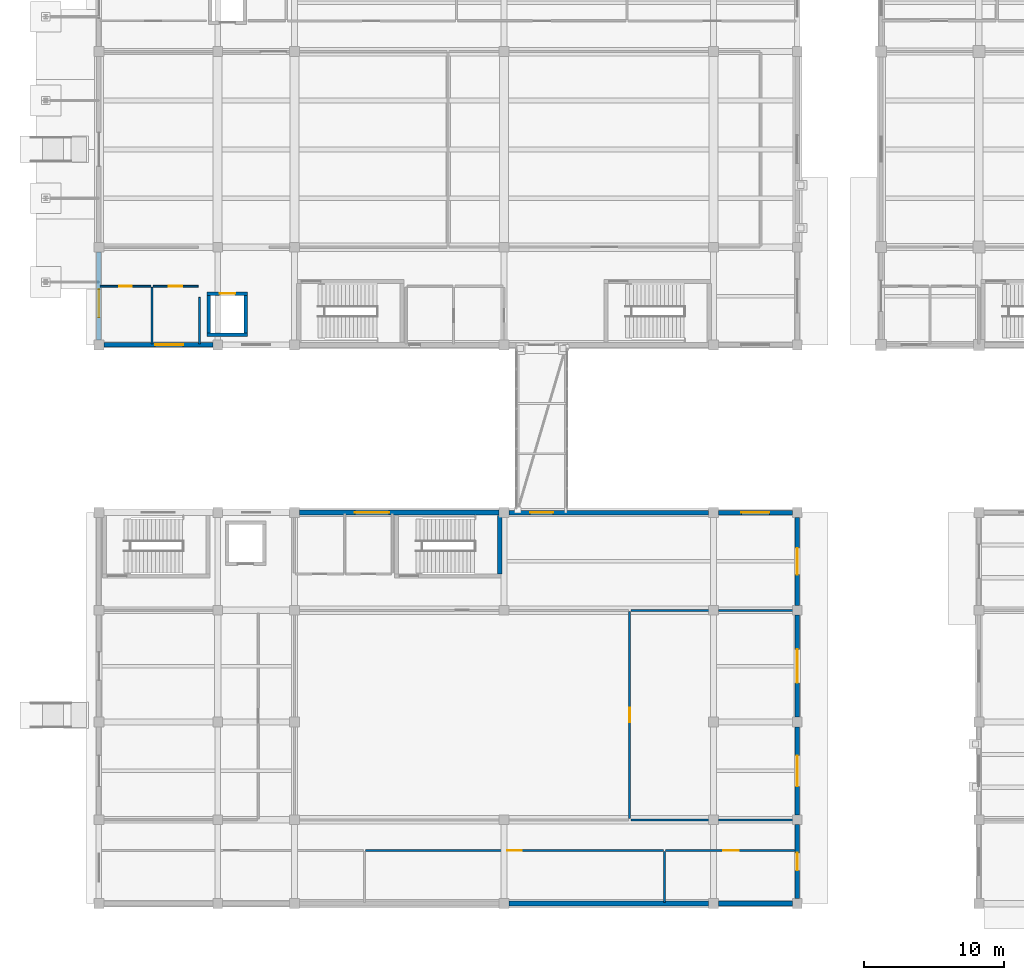
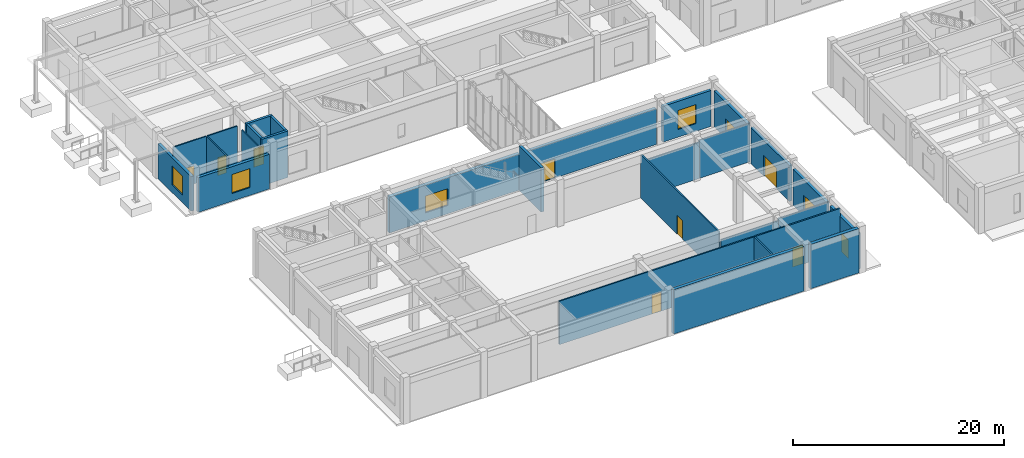
# One storey, part 19 of 40: 28 walls, 11 doors, 4 windows, 15 openings.
"""IFC4 building model written with IfcOpenShell, lengths in metres."""

from ifc_helpers import new_model, si_unit, direction, frame, frame_2d, origin, place, context, subcontext, project, spatial, rectangle, extrude, material, layer, layer_set, type_object, element, fill, save


model = new_model("IFC4")

# Units and contexts
model_context = context("Model", 3, precision=1e-05, world=origin(), true_north=direction((0.0, 1.0)))
body_context = subcontext(model_context, "Body", "Model", "MODEL_VIEW")
ifc_project = project(units=[si_unit("LENGTHUNIT", "METRE"), si_unit("AREAUNIT", "SQUARE_METRE"), si_unit("VOLUMEUNIT", "CUBIC_METRE"), si_unit("PLANEANGLEUNIT", "RADIAN"), si_unit("MASSUNIT", "GRAM", prefix="KILO")], contexts=[model_context])

# Site, building, storey
site_placement = place(None, origin())
site = spatial("IfcSite", under=ifc_project, at=site_placement, CompositionType="ELEMENT")
building_placement = place(site_placement, origin())
building = spatial("IfcBuilding", under=site, at=building_placement, Name="Naurynzar Civic Courthouse", CompositionType="ELEMENT")
storey_placement = place(building_placement, origin())
storey = spatial("IfcBuildingStorey", under=building, at=storey_placement, Name="L01", CompositionType="ELEMENT", Elevation=0.0)

# Wall
ifc_material_1 = material(Name="Concrete C40/50", Category="concrete")
ifc_layer_1 = layer(ifc_material_1, 0.300048828125)
ifc_layer_set_1 = layer_set([ifc_layer_1], Name="WL-CORE-300")
wall_type_1 = type_object("IfcWallType", Name="WL-CORE-300", PredefinedType="SHEAR", material=ifc_layer_set_1)
wall_1_placement = place(storey_placement, frame((34.699951171875, 27.60498046875, 0.0), z_axis=(0.0, 0.0, 1.0), x_axis=(0.0, 1.0, 0.0)))
element("IfcWall", 1, at=wall_1_placement, inside=storey, type_object=wall_type_1, Name="Stair ST-V4B enclosure wall east L01", PredefinedType="SHEAR", context=body_context, shape_type="SweptSolid", body=[
    extrude(rectangle(XDim=4.199951171875, YDim=0.300048828125, at=frame_2d((2.10009765625, 0.0))), origin(), (0.0, 0.0, 1.0), 5.139892578125),
])

# Wall, opening, window
ifc_material_2 = material(Name="Precast concrete C40/50", Category="concrete")
ifc_layer_2 = layer(ifc_material_2, 0.320068359375)
ifc_layer_set_2 = layer_set([ifc_layer_2], Name="WL-EXT-320")
wall_type_2 = type_object("IfcWallType", Name="WL-EXT-320", PredefinedType="SOLIDWALL", material=ifc_layer_set_2)
wall_2_placement = place(storey_placement, frame((6.0, 44.35009765625, 0.0), z_axis=(0.0, 0.0, 1.0), x_axis=(0.0, 1.0, 0.0)))
wall_2 = element("IfcWall", 2, at=wall_2_placement, inside=storey, type_object=wall_type_2, Name="V1 exterior wall west L01.1.1", PredefinedType="SOLIDWALL", context=body_context, shape_type="SweptSolid", body=[
    extrude(rectangle(XDim=6.2998046875, YDim=0.320068359375, at=frame_2d((3.14990234375, 0.0))), origin(), (0.0, 0.0, 1.0), 4.010009765625),
])
opening_1_placement = place(wall_2_placement, frame((1.6298828125, 0.0, 0.89990234375)))
opening_1 = element("IfcOpeningElement", 3, at=opening_1_placement, cuts=wall_2, Name="Opening WN-13", PredefinedType="OPENING", context=body_context, shape_type="SweptSolid", body=[
    extrude(rectangle(XDim=2.0, YDim=2.199951171875, at=frame_2d((1.0, 1.10009765625))), frame((0.0, 0.169921875, 0.0), z_axis=(0.0, -1.0, 0.0), x_axis=(1.0, 0.0, 0.0)), (0.0, 0.0, 1.0), 0.340087890625),
])
ifc_material_3 = material(Name="Tempered Laminated Low-E Glass", Category="glass")
window_type_1 = type_object("IfcWindowType", Name="WIN-REG-2000x2200", PartitioningType="DOUBLE_PANEL_VERTICAL", PredefinedType="WINDOW", material=ifc_material_3)
window_1_placement = place(opening_1_placement, origin())
window_1 = element("IfcWindow", 4, at=window_1_placement, inside=storey, type_object=window_type_1, Name="V1 window 1 L01", OverallHeight=2.199951171875, OverallWidth=2.0, PartitioningType="SINGLE_PANEL", PredefinedType="WINDOW", context=body_context, shape_type="SweptSolid", body=[
    extrude(rectangle(XDim=2.0, YDim=2.199951171875, at=frame_2d((1.0, 1.10009765625))), frame((0.0, 0.030029296875, 0.0), z_axis=(0.0, -1.0, 0.0), x_axis=(1.0, 0.0, 0.0)), (0.0, 0.0, 1.0), 0.06005859375),
])
fill(opening_1, window_1)

wall_3_placement = place(storey_placement, frame((14.14990234375, 44.0, 0.0), z_axis=(0.0, 0.0, 1.0), x_axis=(-1.0, 0.0, 0.0)))
wall_3 = element("IfcWall", 5, at=wall_3_placement, inside=storey, type_object=wall_type_2, Name="V1 exterior wall south L01.5.1", PredefinedType="SOLIDWALL", context=body_context, shape_type="SweptSolid", body=[
    extrude(rectangle(XDim=7.7998046875, YDim=0.320068359375, at=frame_2d((3.89990234375, 0.0))), origin(), (0.0, 0.0, 1.0), 4.010009765625),
])
opening_2_placement = place(wall_3_placement, frame((2.1298828125, 0.0, 0.89990234375)))
opening_2 = element("IfcOpeningElement", 6, at=opening_2_placement, cuts=wall_3, Name="Opening WN-13", PredefinedType="OPENING", context=body_context, shape_type="SweptSolid", body=[
    extrude(rectangle(XDim=2.0, YDim=2.199951171875, at=frame_2d((1.0, 1.10009765625))), frame((0.0, 0.169921875, 0.0), z_axis=(0.0, -1.0, 0.0), x_axis=(1.0, 0.0, 0.0)), (0.0, 0.0, 1.0), 0.340087890625),
])
window_2_placement = place(opening_2_placement, origin())
window_2 = element("IfcWindow", 7, at=window_2_placement, inside=storey, type_object=window_type_1, Name="V1 window 11 L01", OverallHeight=2.199951171875, OverallWidth=2.0, PartitioningType="SINGLE_PANEL", PredefinedType="WINDOW", context=body_context, shape_type="SweptSolid", body=[
    extrude(rectangle(XDim=2.0, YDim=2.199951171875, at=frame_2d((1.0, 1.10009765625))), frame((0.0, 0.030029296875, 0.0), z_axis=(0.0, -1.0, 0.0), x_axis=(1.0, 0.0, 0.0)), (0.0, 0.0, 1.0), 0.06005859375),
])
fill(opening_2, window_2)

# Wall, opening, door
wall_4_placement = place(storey_placement, frame((35.35009765625, 32.0, 0.0), z_axis=(0.0, 0.0, 1.0), x_axis=(1.0, 0.0, 0.0)))
wall_4 = element("IfcWall", 8, at=wall_4_placement, inside=storey, type_object=wall_type_2, Name="V4 exterior wall north L01.4.1", PredefinedType="SOLIDWALL", context=body_context, shape_type="SweptSolid", body=[
    extrude(rectangle(XDim=14.2998046875, YDim=0.320068359375, at=frame_2d((7.14990234375, 0.0))), origin(), (0.0, 0.0, 1.0), 4.159912109375),
])
opening_3_placement = place(wall_4_placement, frame((1.52490234375, 0.0, 0.0)))
opening_3 = element("IfcOpeningElement", 9, at=opening_3_placement, cuts=wall_4, Name="Opening BD-28", PredefinedType="OPENING", context=body_context, shape_type="SweptSolid", body=[
    extrude(rectangle(XDim=1.64990234375, YDim=2.199951171875, at=frame_2d((0.824951171875, 1.10009765625))), frame((0.0, 0.169921875, 0.0), z_axis=(0.0, -1.0, 0.0), x_axis=(1.0, 0.0, 0.0)), (0.0, 0.0, 1.0), 0.340087890625),
])
ifc_material_4 = material(Name="Aluminium 6063-T6", Category="aluminium")
door_type_1 = type_object("IfcDoorType", Name="DR-BRG-1650x2200", OperationType="DOUBLE_DOOR_SINGLE_SWING", PredefinedType="DOOR", material=ifc_material_4)
door_1_placement = place(opening_3_placement, origin())
door_1 = element("IfcDoor", 10, at=door_1_placement, inside=storey, type_object=door_type_1, Name="Seismic bridge fire door BD-28", OperationType="DOUBLE_DOOR_SINGLE_SWING", OverallHeight=2.199951171875, OverallWidth=1.64990234375, PredefinedType="DOOR", context=body_context, shape_type="SweptSolid", body=[
    extrude(rectangle(XDim=1.64990234375, YDim=2.199951171875, at=frame_2d((0.824951171875, 1.10009765625))), frame((0.0, 0.02490234375, 0.0), z_axis=(0.0, -1.0, 0.0), x_axis=(1.0, 0.0, 0.0)), (0.0, 0.0, 1.0), 0.050048828125),
])
fill(opening_3, door_1)

# Wall, opening, window
wall_5_placement = place(storey_placement, frame((50.35009765625, 32.0, 0.0), z_axis=(0.0, 0.0, 1.0), x_axis=(1.0, 0.0, 0.0)))
wall_5 = element("IfcWall", 11, at=wall_5_placement, inside=storey, type_object=wall_type_2, Name="V4 exterior wall north L01.5.1", PredefinedType="SOLIDWALL", context=body_context, shape_type="SweptSolid", body=[
    extrude(rectangle(XDim=5.2998046875, YDim=0.320068359375, at=frame_2d((2.64990234375, 0.0))), origin(), (0.0, 0.0, 1.0), 4.159912109375),
])
opening_4_placement = place(wall_5_placement, frame((1.64990234375, 0.0, 0.89990234375)))
opening_4 = element("IfcOpeningElement", 12, at=opening_4_placement, cuts=wall_5, Name="Opening WN-13", PredefinedType="OPENING", context=body_context, shape_type="SweptSolid", body=[
    extrude(rectangle(XDim=2.0, YDim=2.199951171875, at=frame_2d((1.0, 1.10009765625))), frame((0.0, 0.169921875, 0.0), z_axis=(0.0, -1.0, 0.0), x_axis=(1.0, 0.0, 0.0)), (0.0, 0.0, 1.0), 0.340087890625),
])
window_3_placement = place(opening_4_placement, origin())
window_3 = element("IfcWindow", 13, at=window_3_placement, inside=storey, type_object=window_type_1, Name="V4 window 216 L01", OverallHeight=2.199951171875, OverallWidth=2.0, PartitioningType="SINGLE_PANEL", PredefinedType="WINDOW", context=body_context, shape_type="SweptSolid", body=[
    extrude(rectangle(XDim=2.0, YDim=2.199951171875, at=frame_2d((1.0, 1.10009765625))), frame((0.0, 0.030029296875, 0.0), z_axis=(0.0, -1.0, 0.0), x_axis=(1.0, 0.0, 0.0)), (0.0, 0.0, 1.0), 0.06005859375),
])
fill(opening_4, window_3)

# Wall, opening, door
wall_6_placement = place(storey_placement, frame((56.0, 31.64990234375, 0.0), z_axis=(0.0, 0.0, 1.0), x_axis=(0.0, -1.0, 0.0)))
wall_6 = element("IfcWall", 14, at=wall_6_placement, inside=storey, type_object=wall_type_2, Name="V4 exterior wall east L01.1.1", PredefinedType="SOLIDWALL", context=body_context, shape_type="SweptSolid", body=[
    extrude(rectangle(XDim=6.2998046875, YDim=0.320068359375, at=frame_2d((3.14990234375, 0.0))), origin(), (0.0, 0.0, 1.0), 4.159912109375),
])
opening_5_placement = place(wall_6_placement, frame((2.199951171875, 0.0, 0.0)))
opening_5 = element("IfcOpeningElement", 15, at=opening_5_placement, cuts=wall_6, Name="Opening ED-16", PredefinedType="OPENING", context=body_context, shape_type="SweptSolid", body=[
    extrude(rectangle(XDim=1.89990234375, YDim=2.25, at=frame_2d((0.949951171875, 1.125))), frame((0.0, 0.169921875, 0.0), z_axis=(0.0, -1.0, 0.0), x_axis=(1.0, 0.0, 0.0)), (0.0, 0.0, 1.0), 0.340087890625),
])
ifc_material_5 = material(Name="Aluminium 6063-T6", Category="aluminium")
door_type_2 = type_object("IfcDoorType", Name="DR-EXT-1900x2250", OperationType="DOUBLE_DOOR_SINGLE_SWING", PredefinedType="DOOR", material=ifc_material_5)
door_2_placement = place(opening_5_placement, origin())
door_2 = element("IfcDoor", 16, at=door_2_placement, inside=storey, type_object=door_type_2, Name="Ground final exit door ED-16", OperationType="DOUBLE_DOOR_SINGLE_SWING", OverallHeight=2.25, OverallWidth=1.89990234375, PredefinedType="DOOR", context=body_context, shape_type="SweptSolid", body=[
    extrude(rectangle(XDim=1.89990234375, YDim=2.25, at=frame_2d((0.949951171875, 1.125))), frame((0.0, 0.02490234375, 0.0), z_axis=(0.0, -1.0, 0.0), x_axis=(1.0, 0.0, 0.0)), (0.0, 0.0, 1.0), 0.050048828125),
])
fill(opening_5, door_2)

wall_7_placement = place(storey_placement, frame((56.0, 24.64990234375, 0.0), z_axis=(0.0, 0.0, 1.0), x_axis=(0.0, -1.0, 0.0)))
wall_7 = element("IfcWall", 17, at=wall_7_placement, inside=storey, type_object=wall_type_2, Name="V4 exterior wall east L01.2.1", PredefinedType="SOLIDWALL", context=body_context, shape_type="SweptSolid", body=[
    extrude(rectangle(XDim=7.2998046875, YDim=0.320068359375, at=frame_2d((3.64990234375, 0.0))), origin(), (0.0, 0.0, 1.0), 4.159912109375),
])
opening_6_placement = place(wall_7_placement, frame((2.449951171875, 0.0, 0.0)))
opening_6 = element("IfcOpeningElement", 18, at=opening_6_placement, cuts=wall_7, Name="Opening ED-17", PredefinedType="OPENING", context=body_context, shape_type="SweptSolid", body=[
    extrude(rectangle(XDim=2.39990234375, YDim=2.39990234375, at=frame_2d((1.199951171875, 1.199951171875))), frame((0.0, 0.169921875, 0.0), z_axis=(0.0, -1.0, 0.0), x_axis=(1.0, 0.0, 0.0)), (0.0, 0.0, 1.0), 0.340087890625),
])
ifc_material_6 = material(Name="Aluminium 6063-T6", Category="aluminium")
door_type_3 = type_object("IfcDoorType", Name="DR-EXT-2400x2400", OperationType="DOUBLE_DOOR_SINGLE_SWING", PredefinedType="DOOR", material=ifc_material_6)
door_3_placement = place(opening_6_placement, origin())
door_3 = element("IfcDoor", 19, at=door_3_placement, inside=storey, type_object=door_type_3, Name="Ground final exit door ED-17", OperationType="DOUBLE_DOOR_SINGLE_SWING", OverallHeight=2.39990234375, OverallWidth=2.39990234375, PredefinedType="DOOR", context=body_context, shape_type="SweptSolid", body=[
    extrude(rectangle(XDim=2.39990234375, YDim=2.39990234375, at=frame_2d((1.199951171875, 1.199951171875))), frame((0.0, 0.02490234375, 0.0), z_axis=(0.0, -1.0, 0.0), x_axis=(1.0, 0.0, 0.0)), (0.0, 0.0, 1.0), 0.050048828125),
])
fill(opening_6, door_3)

wall_8_placement = place(storey_placement, frame((56.0, 16.64990234375, 0.0), z_axis=(0.0, 0.0, 1.0), x_axis=(0.0, -1.0, 0.0)))
wall_8 = element("IfcWall", 20, at=wall_8_placement, inside=storey, type_object=wall_type_2, Name="V4 exterior wall east L01.3.1", PredefinedType="SOLIDWALL", context=body_context, shape_type="SweptSolid", body=[
    extrude(rectangle(XDim=6.2998046875, YDim=0.320068359375, at=frame_2d((3.14990234375, 0.0))), origin(), (0.0, 0.0, 1.0), 4.159912109375),
])
opening_7_placement = place(wall_8_placement, frame((2.050048828125, 0.0, 0.0)))
opening_7 = element("IfcOpeningElement", 21, at=opening_7_placement, cuts=wall_8, Name="Opening ED-18", PredefinedType="OPENING", context=body_context, shape_type="SweptSolid", body=[
    extrude(rectangle(XDim=2.199951171875, YDim=2.39990234375, at=frame_2d((1.10009765625, 1.199951171875))), frame((0.0, 0.169921875, 0.0), z_axis=(0.0, -1.0, 0.0), x_axis=(1.0, 0.0, 0.0)), (0.0, 0.0, 1.0), 0.340087890625),
])
ifc_material_7 = material(Name="Aluminium 6063-T6", Category="aluminium")
door_type_4 = type_object("IfcDoorType", Name="DR-EXT-2200x2400", OperationType="DOUBLE_DOOR_SINGLE_SWING", PredefinedType="DOOR", material=ifc_material_7)
door_4_placement = place(opening_7_placement, origin())
door_4 = element("IfcDoor", 22, at=door_4_placement, inside=storey, type_object=door_type_4, Name="Ground final exit door ED-18", OperationType="DOUBLE_DOOR_SINGLE_SWING", OverallHeight=2.39990234375, OverallWidth=2.199951171875, PredefinedType="DOOR", context=body_context, shape_type="SweptSolid", body=[
    extrude(rectangle(XDim=2.199951171875, YDim=2.39990234375, at=frame_2d((1.10009765625, 1.199951171875))), frame((0.0, 0.02490234375, 0.0), z_axis=(0.0, -1.0, 0.0), x_axis=(1.0, 0.0, 0.0)), (0.0, 0.0, 1.0), 0.050048828125),
])
fill(opening_7, door_4)

wall_9_placement = place(storey_placement, frame((56.0, 9.64990234375, 0.0), z_axis=(0.0, 0.0, 1.0), x_axis=(0.0, -1.0, 0.0)))
wall_9 = element("IfcWall", 23, at=wall_9_placement, inside=storey, type_object=wall_type_2, Name="V4 exterior wall east L01.4.1", PredefinedType="SOLIDWALL", context=body_context, shape_type="SweptSolid", body=[
    extrude(rectangle(XDim=5.2998046875, YDim=0.320068359375, at=frame_2d((2.64990234375, 0.0))), origin(), (0.0, 0.0, 1.0), 4.159912109375),
])
opening_8_placement = place(wall_9_placement, frame((2.02490234375, 0.0, 0.0)))
opening_8 = element("IfcOpeningElement", 24, at=opening_8_placement, cuts=wall_9, Name="Opening ED-FCC", PredefinedType="OPENING", context=body_context, shape_type="SweptSolid", body=[
    extrude(rectangle(XDim=1.25, YDim=2.14990234375, at=frame_2d((0.625, 1.074951171875))), frame((0.0, 0.169921875, 0.0), z_axis=(0.0, -1.0, 0.0), x_axis=(1.0, 0.0, 0.0)), (0.0, 0.0, 1.0), 0.340087890625),
])
ifc_material_8 = material(Name="Powder-Coated Galvanised Steel", Category="steel")
door_type_5 = type_object("IfcDoorType", Name="DR-FCC-1250x2150", OperationType="NOTDEFINED", PredefinedType="DOOR", material=ifc_material_8)
door_5_placement = place(opening_8_placement, origin())
door_5 = element("IfcDoor", 25, at=door_5_placement, inside=storey, type_object=door_type_5, Name="Fire Command Centre exterior access door", OperationType="SINGLE_SWING_RIGHT", OverallHeight=2.14990234375, OverallWidth=1.25, PredefinedType="DOOR", context=body_context, shape_type="SweptSolid", body=[
    extrude(rectangle(XDim=1.25, YDim=2.14990234375, at=frame_2d((0.625, 1.074951171875))), frame((0.0, 0.02490234375, 0.0), z_axis=(0.0, -1.0, 0.0), x_axis=(1.0, 0.0, 0.0)), (0.0, 0.0, 1.0), 0.050048828125),
])
fill(opening_8, door_5)

ifc_material_9 = material(Name="Insulated Metal-Stud Gypsum Partition")
ifc_layer_3 = layer(ifc_material_9, 0.159912109375)
ifc_layer_set_3 = layer_set([ifc_layer_3], Name="WL-PART-CHAMB-160")
wall_type_3 = type_object("IfcWallType", Name="WL-PART-CHAMB-160", PredefinedType="PARTITIONING", material=ifc_layer_set_3)
wall_10_placement = place(storey_placement, frame((46.580078125, 7.800048828125, 0.0), z_axis=(0.0, 0.0, 1.0), x_axis=(1.0, 0.0, 0.0)))
wall_10 = element("IfcWall", 26, at=wall_10_placement, inside=storey, type_object=wall_type_3, Name="V4 interior partition L01.70", PredefinedType="PARTITIONING", context=body_context, shape_type="SweptSolid", body=[
    extrude(rectangle(XDim=9.33984375, YDim=0.159912109375, at=frame_2d((4.669921875, 0.0))), origin(), (0.0, 0.0, 1.0), 5.0400390625),
])
opening_9_placement = place(wall_10_placement, frame((4.110107421875, 0.0, 0.0)))
opening_9 = element("IfcOpeningElement", 27, at=opening_9_placement, cuts=wall_10, Name="Opening D-062", PredefinedType="OPENING", context=body_context, shape_type="SweptSolid", body=[
    extrude(rectangle(XDim=1.1201171875, YDim=2.199951171875, at=frame_2d((0.56005859375, 1.10009765625))), frame((0.0, 0.08984375, 0.0), z_axis=(0.0, -1.0, 0.0), x_axis=(1.0, 0.0, 0.0)), (0.0, 0.0, 1.0), 0.179931640625),
])
ifc_material_10 = material(Name="Acoustic Oak Timber Grade A", Category="wood")
door_type_6 = type_object("IfcDoorType", Name="DR-SUITE-1120x2200", OperationType="NOTDEFINED", PredefinedType="DOOR", material=ifc_material_10)
door_6_placement = place(opening_9_placement, origin())
door_6 = element("IfcDoor", 28, at=door_6_placement, inside=storey, type_object=door_type_6, Name="Interior door D-062 (Fire Command Centre)", OperationType="SINGLE_SWING_RIGHT", OverallHeight=2.199951171875, OverallWidth=1.1201171875, PredefinedType="DOOR", context=body_context, shape_type="SweptSolid", body=[
    extrude(rectangle(XDim=1.1201171875, YDim=2.199951171875, at=frame_2d((0.56005859375, 1.10009765625))), frame((0.0, 0.02490234375, 0.0), z_axis=(0.0, -1.0, 0.0), x_axis=(1.0, 0.0, 0.0)), (0.0, 0.0, 1.0), 0.050048828125),
])
fill(opening_9, door_6)

# Wall
wall_11_placement = place(storey_placement, frame((46.5, 4.080078125, 0.0), z_axis=(0.0, 0.0, 1.0), x_axis=(0.0, 1.0, 0.0)))
element("IfcWall", 29, at=wall_11_placement, inside=storey, type_object=wall_type_3, Name="V4 interior partition L01.149", PredefinedType="PARTITIONING", context=body_context, shape_type="SweptSolid", body=[
    extrude(rectangle(XDim=3.639892578125, YDim=0.159912109375, at=frame_2d((1.81982421875, 0.0))), origin(), (0.0, 0.0, 1.0), 5.0400390625),
])

# Wall, opening, door
ifc_material_11 = material(Name="Fire-Rated Corridor Gypsum Partition")
ifc_layer_4 = layer(ifc_material_11, 0.14990234375)
ifc_layer_set_4 = layer_set([ifc_layer_4], Name="WL-PART-CORR-150")
wall_type_4 = type_object("IfcWallType", Name="WL-PART-CORR-150", PredefinedType="PARTITIONING", material=ifc_layer_set_4)
wall_12_placement = place(storey_placement, frame((25.080078125, 7.800048828125, 0.0), z_axis=(0.0, 0.0, 1.0), x_axis=(1.0, 0.0, 0.0)))
wall_12 = element("IfcWall", 30, at=wall_12_placement, inside=storey, type_object=wall_type_4, Name="V4 interior partition L01.69", PredefinedType="PARTITIONING", context=body_context, shape_type="SweptSolid", body=[
    extrude(rectangle(XDim=21.33984375, YDim=0.14990234375, at=frame_2d((10.669921875, 0.0))), origin(), (0.0, 0.0, 1.0), 5.0400390625),
])
opening_10_placement = place(wall_12_placement, frame((10.139892578125, 0.0, 0.0)))
opening_10 = element("IfcOpeningElement", 31, at=opening_10_placement, cuts=wall_12, Name="Opening D-061", PredefinedType="OPENING", context=body_context, shape_type="SweptSolid", body=[
    extrude(rectangle(XDim=1.06005859375, YDim=2.199951171875, at=frame_2d((0.530029296875, 1.10009765625))), frame((0.0, 0.0849609375, 0.0), z_axis=(0.0, -1.0, 0.0), x_axis=(1.0, 0.0, 0.0)), (0.0, 0.0, 1.0), 0.169921875),
])
ifc_material_12 = material(Name="Acoustic Oak Timber Grade A", Category="wood")
door_type_7 = type_object("IfcDoorType", Name="DR-SUITE-1060x2200", OperationType="NOTDEFINED", PredefinedType="DOOR", material=ifc_material_12)
door_7_placement = place(opening_10_placement, origin())
door_7 = element("IfcDoor", 32, at=door_7_placement, inside=storey, type_object=door_type_7, Name="Interior door D-061 (Criminal Case Registry)", OperationType="SINGLE_SWING_LEFT", OverallHeight=2.199951171875, OverallWidth=1.06005859375, PredefinedType="DOOR", context=body_context, shape_type="SweptSolid", body=[
    extrude(rectangle(XDim=1.06005859375, YDim=2.199951171875, at=frame_2d((0.530029296875, 1.10009765625))), frame((0.0, 0.02490234375, 0.0), z_axis=(0.0, -1.0, 0.0), x_axis=(1.0, 0.0, 0.0)), (0.0, 0.0, 1.0), 0.050048828125),
])
fill(opening_10, door_7)

# Walls
wall_13_placement = place(storey_placement, frame((44.080078125, 10.0, 0.0), z_axis=(0.0, 0.0, 1.0), x_axis=(1.0, 0.0, 0.0)))
element("IfcWall", 33, at=wall_13_placement, inside=storey, type_object=wall_type_4, Name="V4 interior partition L01.73a", PredefinedType="PARTITIONING", context=body_context, shape_type="SweptSolid", body=[
    extrude(rectangle(XDim=6.27001953125, YDim=0.14990234375, at=frame_2d((3.135009765625, 0.0))), origin(), (0.0, 0.0, 1.0), 4.179931640625),
])
wall_14_placement = place(storey_placement, frame((50.35009765625, 10.0, 0.0), z_axis=(0.0, 0.0, 1.0), x_axis=(1.0, 0.0, 0.0)))
element("IfcWall", 34, at=wall_14_placement, inside=storey, type_object=wall_type_4, Name="V4 interior partition L01.73ab", PredefinedType="PARTITIONING", context=body_context, shape_type="SweptSolid", body=[
    extrude(rectangle(XDim=5.56982421875, YDim=0.14990234375, at=frame_2d((2.784912109375, 0.0))), origin(), (0.0, 0.0, 1.0), 4.429931640625),
])
wall_15_placement = place(storey_placement, frame((44.080078125, 25.0, 0.0), z_axis=(0.0, 0.0, 1.0), x_axis=(1.0, 0.0, 0.0)))
element("IfcWall", 35, at=wall_15_placement, inside=storey, type_object=wall_type_4, Name="V4 interior partition L01.83a", PredefinedType="PARTITIONING", context=body_context, shape_type="SweptSolid", body=[
    extrude(rectangle(XDim=6.27001953125, YDim=0.14990234375, at=frame_2d((3.135009765625, 0.0))), origin(), (0.0, 0.0, 1.0), 4.179931640625),
])
wall_16_placement = place(storey_placement, frame((50.35009765625, 25.0, 0.0), z_axis=(0.0, 0.0, 1.0), x_axis=(1.0, 0.0, 0.0)))
element("IfcWall", 36, at=wall_16_placement, inside=storey, type_object=wall_type_4, Name="V4 interior partition L01.83ab", PredefinedType="PARTITIONING", context=body_context, shape_type="SweptSolid", body=[
    extrude(rectangle(XDim=5.56982421875, YDim=0.14990234375, at=frame_2d((2.784912109375, 0.0))), origin(), (0.0, 0.0, 1.0), 4.429931640625),
])

# Wall, opening, door
wall_17_placement = place(storey_placement, frame((44.0, 10.080078125, 0.0), z_axis=(0.0, 0.0, 1.0), x_axis=(0.0, 1.0, 0.0)))
wall_17 = element("IfcWall", 37, at=wall_17_placement, inside=storey, type_object=wall_type_4, Name="V4 interior partition L01.148", PredefinedType="PARTITIONING", context=body_context, shape_type="SweptSolid", body=[
    extrude(rectangle(XDim=14.83984375, YDim=0.14990234375, at=frame_2d((7.419921875, 0.0))), origin(), (0.0, 0.0, 1.0), 5.0400390625),
])
opening_11_placement = place(wall_17_placement, frame((6.909912109375, 0.0, 0.0)))
opening_11 = element("IfcOpeningElement", 38, at=opening_11_placement, cuts=wall_17, Name="Opening D-059", PredefinedType="OPENING", context=body_context, shape_type="SweptSolid", body=[
    extrude(rectangle(XDim=1.02001953125, YDim=2.14990234375, at=frame_2d((0.510009765625, 1.074951171875))), frame((0.0, 0.0849609375, 0.0), z_axis=(0.0, -1.0, 0.0), x_axis=(1.0, 0.0, 0.0)), (0.0, 0.0, 1.0), 0.169921875),
])
ifc_material_13 = material(Name="Acoustic Oak Timber Grade A", Category="wood")
door_type_8 = type_object("IfcDoorType", Name="DR-SUITE-1020x2150", OperationType="NOTDEFINED", PredefinedType="DOOR", material=ifc_material_13)
door_8_placement = place(opening_11_placement, origin())
door_8 = element("IfcDoor", 39, at=door_8_placement, inside=storey, type_object=door_type_8, Name="Interior door D-059 (Visitor Cafe and Legal Bookshop)", OperationType="SINGLE_SWING_LEFT", OverallHeight=2.14990234375, OverallWidth=1.02001953125, PredefinedType="DOOR", context=body_context, shape_type="SweptSolid", body=[
    extrude(rectangle(XDim=1.02001953125, YDim=2.14990234375, at=frame_2d((0.510009765625, 1.074951171875))), frame((0.0, 0.02490234375, 0.0), z_axis=(0.0, -1.0, 0.0), x_axis=(1.0, 0.0, 0.0)), (0.0, 0.0, 1.0), 0.050048828125),
])
fill(opening_11, door_8)

ifc_material_14 = material(Name="Moisture-Resistant Plumbing Partition")
ifc_layer_5 = layer(ifc_material_14, 0.139892578125)
ifc_layer_set_5 = layer_set([ifc_layer_5], Name="WL-PART-WC-140")
wall_type_5 = type_object("IfcWallType", Name="WL-PART-WC-140", PredefinedType="PLUMBINGWALL", material=ifc_layer_set_5)
wall_18_placement = place(storey_placement, frame((6.080078125, 48.199951171875, 0.0), z_axis=(0.0, 0.0, 1.0), x_axis=(1.0, 0.0, 0.0)))
wall_18 = element("IfcWall", 40, at=wall_18_placement, inside=storey, type_object=wall_type_5, Name="V1 interior partition L01.96", PredefinedType="PLUMBINGWALL", context=body_context, shape_type="SweptSolid", body=[
    extrude(rectangle(XDim=3.639892578125, YDim=0.139892578125, at=frame_2d((1.81982421875, 0.0))), origin(), (0.0, 0.0, 1.0), 5.0400390625),
])
opening_12_placement = place(wall_18_placement, frame((1.360107421875, 0.0, 0.0)))
opening_12 = element("IfcOpeningElement", 41, at=opening_12_placement, cuts=wall_18, Name="Opening D-008", PredefinedType="OPENING", context=body_context, shape_type="SweptSolid", body=[
    extrude(rectangle(XDim=0.919921875, YDim=2.10009765625, at=frame_2d((0.4599609375, 1.050048828125))), frame((0.0, 0.079833984375, 0.0), z_axis=(0.0, -1.0, 0.0), x_axis=(1.0, 0.0, 0.0)), (0.0, 0.0, 1.0), 0.159912109375),
])
ifc_material_15 = material(Name="Acoustic Oak Timber Grade A", Category="wood")
door_type_9 = type_object("IfcDoorType", Name="DR-WC-STD-920x2100", OperationType="NOTDEFINED", PredefinedType="DOOR", material=ifc_material_15)
door_9_placement = place(opening_12_placement, origin())
door_9 = element("IfcDoor", 42, at=door_9_placement, inside=storey, type_object=door_type_9, Name="Interior door D-008 (Public WC V1)", OperationType="SINGLE_SWING_RIGHT", OverallHeight=2.10009765625, OverallWidth=0.919921875, PredefinedType="DOOR", context=body_context, shape_type="SweptSolid", body=[
    extrude(rectangle(XDim=0.919921875, YDim=2.10009765625, at=frame_2d((0.4599609375, 1.050048828125))), frame((0.0, 0.02490234375, 0.0), z_axis=(0.0, -1.0, 0.0), x_axis=(1.0, 0.0, 0.0)), (0.0, 0.0, 1.0), 0.050048828125),
])
fill(opening_12, door_9)

wall_19_placement = place(storey_placement, frame((9.8798828125, 48.199951171875, 0.0), z_axis=(0.0, 0.0, 1.0), x_axis=(1.0, 0.0, 0.0)))
wall_19 = element("IfcWall", 43, at=wall_19_placement, inside=storey, type_object=wall_type_5, Name="V1 interior partition L01.97", PredefinedType="PLUMBINGWALL", context=body_context, shape_type="SweptSolid", body=[
    extrude(rectangle(XDim=3.22021484375, YDim=0.139892578125, at=frame_2d((1.610107421875, 0.0))), origin(), (0.0, 0.0, 1.0), 5.0400390625),
])
opening_13_placement = place(wall_19_placement, frame((1.1298828125, 0.0, 0.0)))
opening_13 = element("IfcOpeningElement", 44, at=opening_13_placement, cuts=wall_19, Name="Opening D-009", PredefinedType="OPENING", context=body_context, shape_type="SweptSolid", body=[
    extrude(rectangle(XDim=0.9599609375, YDim=2.10009765625, at=frame_2d((0.47998046875, 1.050048828125))), frame((0.0, 0.079833984375, 0.0), z_axis=(0.0, -1.0, 0.0), x_axis=(1.0, 0.0, 0.0)), (0.0, 0.0, 1.0), 0.159912109375),
])
ifc_material_16 = material(Name="Acoustic Oak Timber Grade A", Category="wood")
door_type_10 = type_object("IfcDoorType", Name="DR-WC-ACC-960x2100", OperationType="NOTDEFINED", PredefinedType="DOOR", material=ifc_material_16)
door_10_placement = place(opening_13_placement, origin())
door_10 = element("IfcDoor", 45, at=door_10_placement, inside=storey, type_object=door_type_10, Name="Interior door D-009 (Accessible WC V1)", OperationType="SINGLE_SWING_LEFT", OverallHeight=2.10009765625, OverallWidth=0.9599609375, PredefinedType="DOOR", context=body_context, shape_type="SweptSolid", body=[
    extrude(rectangle(XDim=0.9599609375, YDim=2.10009765625, at=frame_2d((0.47998046875, 1.050048828125))), frame((0.0, 0.02490234375, 0.0), z_axis=(0.0, -1.0, 0.0), x_axis=(1.0, 0.0, 0.0)), (0.0, 0.0, 1.0), 0.050048828125),
])
fill(opening_13, door_10)

# Walls
wall_20_placement = place(storey_placement, frame((9.800048828125, 44.080078125, 0.0), z_axis=(0.0, 0.0, 1.0), x_axis=(0.0, 1.0, 0.0)))
element("IfcWall", 46, at=wall_20_placement, inside=storey, type_object=wall_type_5, Name="V1 interior partition L01.133", PredefinedType="PLUMBINGWALL", context=body_context, shape_type="SweptSolid", body=[
    extrude(rectangle(XDim=4.0400390625, YDim=0.139892578125, at=frame_2d((2.02001953125, 0.0))), origin(), (0.0, 0.0, 1.0), 5.0400390625),
])
wall_21_placement = place(storey_placement, frame((13.199951171875, 44.080078125, 0.0), z_axis=(0.0, 0.0, 1.0), x_axis=(0.0, 1.0, 0.0)))
element("IfcWall", 47, at=wall_21_placement, inside=storey, type_object=wall_type_5, Name="V1 interior partition L01.134", PredefinedType="PLUMBINGWALL", context=body_context, shape_type="SweptSolid", body=[
    extrude(rectangle(XDim=3.31982421875, YDim=0.139892578125, at=frame_2d((1.659912109375, 0.0))), origin(), (0.0, 0.0, 1.0), 5.0400390625),
])
ifc_material_17 = material(Name="Concrete C40/50", Category="concrete")
ifc_layer_6 = layer(ifc_material_17, 0.360107421875)
ifc_layer_set_6 = layer_set([ifc_layer_6], Name="WL-PARTY-360")
wall_type_6 = type_object("IfcWallType", Name="WL-PARTY-360", PredefinedType="SOLIDWALL", material=ifc_layer_set_6)
wall_22_placement = place(storey_placement, frame((55.64990234375, 4.0, 0.0), z_axis=(0.0, 0.0, 1.0), x_axis=(-1.0, 0.0, 0.0)))
element("IfcWall", 48, at=wall_22_placement, inside=storey, type_object=wall_type_6, Name="V4 solid seismic party wall L01 1", PredefinedType="SOLIDWALL", context=body_context, shape_type="SweptSolid", body=[
    extrude(rectangle(XDim=5.2998046875, YDim=0.360107421875, at=frame_2d((2.64990234375, 0.0))), origin(), (0.0, 0.0, 1.0), 5.139892578125),
])
wall_23_placement = place(storey_placement, frame((49.64990234375, 4.0, 0.0), z_axis=(0.0, 0.0, 1.0), x_axis=(-1.0, 0.0, 0.0)))
element("IfcWall", 49, at=wall_23_placement, inside=storey, type_object=wall_type_6, Name="V4 solid seismic party wall L01 2", PredefinedType="SOLIDWALL", context=body_context, shape_type="SweptSolid", body=[
    extrude(rectangle(XDim=14.2998046875, YDim=0.360107421875, at=frame_2d((7.14990234375, 0.0))), origin(), (0.0, 0.0, 1.0), 5.139892578125),
])

# Wall, opening, window
ifc_material_18 = material(Name="Concrete C40/50", Category="concrete")
ifc_layer_7 = layer(ifc_material_18, 0.3798828125)
ifc_layer_set_7 = layer_set([ifc_layer_7], Name="WL-RET-380")
wall_type_7 = type_object("IfcWallType", Name="WL-RET-380", PredefinedType="STANDARD", material=ifc_layer_set_7)
wall_24_placement = place(storey_placement, frame((20.35009765625, 32.0, 0.0), z_axis=(0.0, 0.0, 1.0), x_axis=(1.0, 0.0, 0.0)))
wall_24 = element("IfcWall", 50, at=wall_24_placement, inside=storey, type_object=wall_type_7, Name="V4 exterior wall north L01.3.1", PredefinedType="STANDARD", context=body_context, shape_type="SweptSolid", body=[
    extrude(rectangle(XDim=14.2998046875, YDim=0.3798828125, at=frame_2d((7.14990234375, 0.0))), origin(), (0.0, 0.0, 1.0), 4.159912109375),
])
opening_14_placement = place(wall_24_placement, frame((3.97998046875, 0.0, 0.949951171875)))
opening_14 = element("IfcOpeningElement", 51, at=opening_14_placement, cuts=wall_24, Name="Opening WM-20", PredefinedType="OPENING", context=body_context, shape_type="SweptSolid", body=[
    extrude(rectangle(XDim=2.449951171875, YDim=1.949951171875, at=frame_2d((1.22509765625, 0.97509765625))), frame((0.0, 0.199951171875, 0.0), z_axis=(0.0, -1.0, 0.0), x_axis=(1.0, 0.0, 0.0)), (0.0, 0.0, 1.0), 0.39990234375),
])
ifc_material_19 = material(Name="Tempered Laminated Low-E Glass", Category="glass")
window_type_2 = type_object("IfcWindowType", Name="WIN-MOD-2450x1950", PartitioningType="DOUBLE_PANEL_VERTICAL", PredefinedType="WINDOW", material=ifc_material_19)
window_4_placement = place(opening_14_placement, origin())
window_4 = element("IfcWindow", 52, at=window_4_placement, inside=storey, type_object=window_type_2, Name="Modular glazed window 20", OverallHeight=1.949951171875, OverallWidth=2.449951171875, PartitioningType="SINGLE_PANEL", PredefinedType="WINDOW", context=body_context, shape_type="SweptSolid", body=[
    extrude(rectangle(XDim=2.449951171875, YDim=1.949951171875, at=frame_2d((1.22509765625, 0.97509765625))), frame((0.0, 0.030029296875, 0.0), z_axis=(0.0, -1.0, 0.0), x_axis=(1.0, 0.0, 0.0)), (0.0, 0.0, 1.0), 0.06005859375),
])
fill(opening_14, window_4)

# Wall
ifc_material_20 = material(Name="Concrete C40/50", Category="concrete")
ifc_layer_8 = layer(ifc_material_20, 0.25)
ifc_layer_set_8 = layer_set([ifc_layer_8], Name="WL-SHAFT-250")
wall_type_8 = type_object("IfcWallType", Name="WL-SHAFT-250", PredefinedType="SHEAR", material=ifc_layer_set_8)
wall_25_placement = place(storey_placement, frame((13.75, 44.72509765625, 0.0), z_axis=(0.0, 0.0, 1.0), x_axis=(1.0, 0.0, 0.0)))
element("IfcWall", 53, at=wall_25_placement, inside=storey, type_object=wall_type_8, Name="Lift LP-01 shaft wall south L01", PredefinedType="SHEAR", context=body_context, shape_type="SweptSolid", body=[
    extrude(rectangle(XDim=2.89990234375, YDim=0.25, at=frame_2d((1.449951171875, 0.0))), origin(), (0.0, 0.0, 1.0), 5.39990234375),
])

# Wall, opening, door
wall_26_placement = place(storey_placement, frame((16.64990234375, 47.675048828125, 0.0), z_axis=(0.0, 0.0, 1.0), x_axis=(-1.0, 0.0, 0.0)))
wall_26 = element("IfcWall", 54, at=wall_26_placement, inside=storey, type_object=wall_type_8, Name="Lift LP-01 shaft wall north L01", PredefinedType="SHEAR", context=body_context, shape_type="SweptSolid", body=[
    extrude(rectangle(XDim=2.89990234375, YDim=0.25, at=frame_2d((1.449951171875, 0.0))), origin(), (0.0, 0.0, 1.0), 5.39990234375),
])
opening_15_placement = place(wall_26_placement, frame((0.89990234375, 0.0, 0.0)))
opening_15 = element("IfcOpeningElement", 55, at=opening_15_placement, cuts=wall_26, Name="Opening LD-002", PredefinedType="OPENING", context=body_context, shape_type="SweptSolid", body=[
    extrude(rectangle(XDim=1.10009765625, YDim=2.14990234375, at=frame_2d((0.550048828125, 1.074951171875))), frame((0.0, 0.135009765625, 0.0), z_axis=(0.0, -1.0, 0.0), x_axis=(1.0, 0.0, 0.0)), (0.0, 0.0, 1.0), 0.27001953125),
])
ifc_material_21 = material(Name="Brushed Stainless Steel 304", Category="steel")
door_type_11 = type_object("IfcDoorType", Name="DR-LIFT-SLIDE-1100x2150", OperationType="DOUBLE_DOOR_SLIDING", PredefinedType="DOOR", material=ifc_material_21)
door_11_placement = place(opening_15_placement, origin())
door_11 = element("IfcDoor", 56, at=door_11_placement, inside=storey, type_object=door_type_11, Name="Lift LP-01 sliding landing door L01", OperationType="DOUBLE_DOOR_SLIDING", OverallHeight=2.14990234375, OverallWidth=1.10009765625, PredefinedType="DOOR", context=body_context, shape_type="SweptSolid", body=[
    extrude(rectangle(XDim=1.10009765625, YDim=2.14990234375, at=frame_2d((0.550048828125, 1.074951171875))), frame((0.0, 0.02490234375, 0.0), z_axis=(0.0, -1.0, 0.0), x_axis=(1.0, 0.0, 0.0)), (0.0, 0.0, 1.0), 0.050048828125),
])
fill(opening_15, door_11)

# Walls
for number, where, z_axis, x_axis, name in (
    (57, (13.875, 47.544921875, 0.0), (0.0, 0.0, 1.0), (0.0, -1.0, 0.0), "Lift LP-01 shaft wall west L01"),
    (58, (16.52490234375, 44.85498046875, 0.0), (0.0, 0.0, 1.0), (0.0, 1.0, 0.0), "Lift LP-01 shaft wall east L01"),
):
    element("IfcWall", number, at=place(storey_placement, frame(where, z_axis=z_axis, x_axis=x_axis)), inside=storey, type_object=wall_type_8, Name=name, PredefinedType="SHEAR", context=body_context, shape_type="SweptSolid", body=[
        extrude(rectangle(XDim=2.68994140625, YDim=0.25, at=frame_2d((1.344970703125, 0.0))), origin(), (0.0, 0.0, 1.0), 5.39990234375),
    ])

save(model, "model.ifc")
